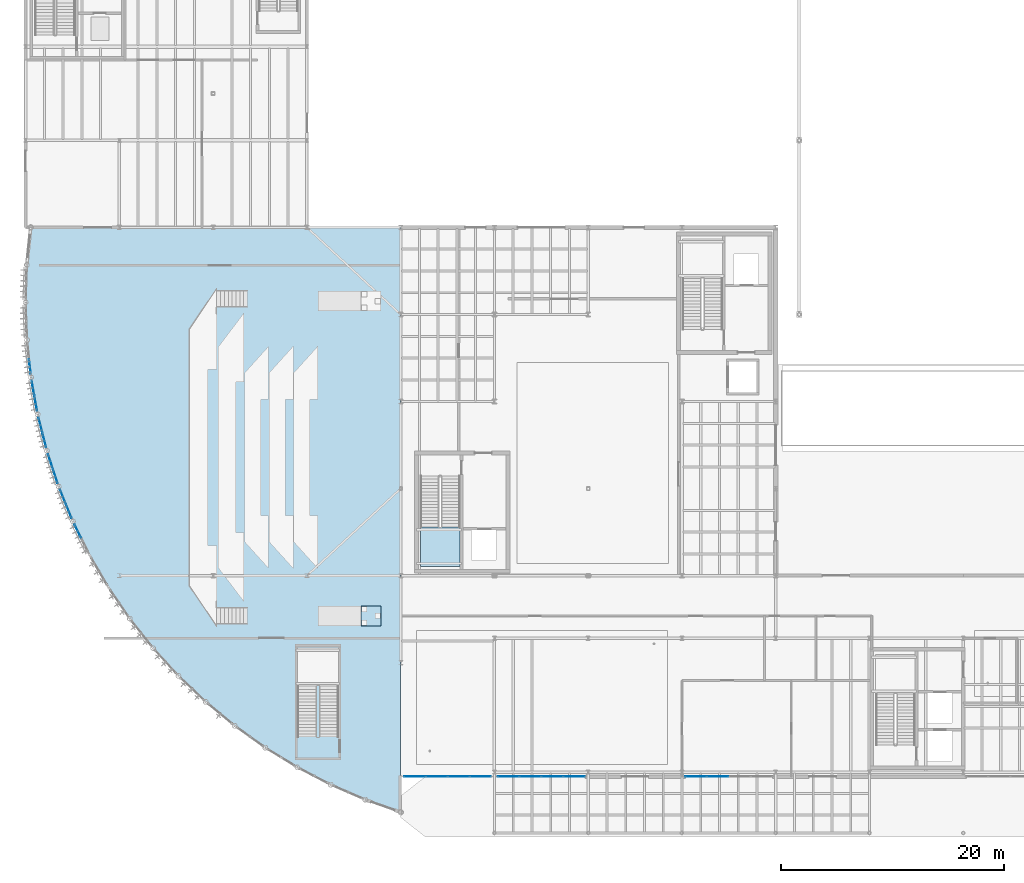
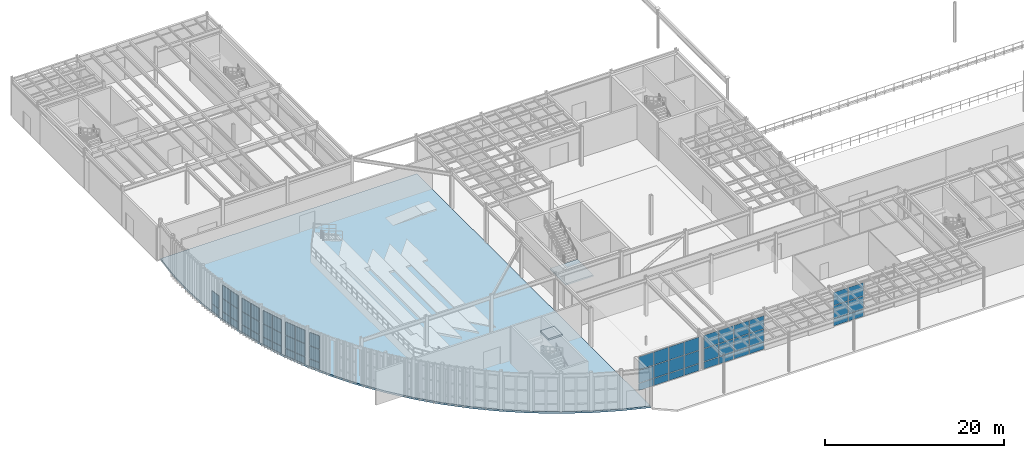
# One storey, part 55 of 87: 59 plates, 3 slabs, 11 elements without a shape of their own.
"""IFC4 building model written with IfcOpenShell, lengths in metres."""

from ifc_helpers import new_model, si_unit, direction, frame, origin, origin_2d, place, context, subcontext, project, spatial, polyline, rectangle, outline, extrude, material, layer, layer_set, type_object, element, aggregate, save


model = new_model("IFC4")

# Units and contexts
model_context = context("Model", 3, precision=1e-05, world=origin(), true_north=direction((0.0, 1.0)))
body_context = subcontext(model_context, "Body", "Model", "MODEL_VIEW")
ifc_project = project(units=[si_unit("LENGTHUNIT", "METRE"), si_unit("AREAUNIT", "SQUARE_METRE"), si_unit("VOLUMEUNIT", "CUBIC_METRE"), si_unit("PLANEANGLEUNIT", "RADIAN"), si_unit("MASSUNIT", "GRAM", prefix="KILO")], contexts=[model_context])

# Site, building, storey
site_placement = place(None, origin())
site = spatial("IfcSite", under=ifc_project, at=site_placement, CompositionType="ELEMENT")
building_placement = place(site_placement, origin())
building = spatial("IfcBuilding", under=site, at=building_placement, Name="Selat Folded Stagehouse", CompositionType="ELEMENT")
storey_placement = place(building_placement, origin())
storey = spatial("IfcBuildingStorey", under=building, at=storey_placement, Name="L00", CompositionType="ELEMENT", Elevation=0.0)

# Curtain wall, plates
ifc_material_1 = material(Name="Aluminium 6063-T6", Category="aluminium")
ifc_layer_1 = layer(ifc_material_1, 0.2099609375)
ifc_layer_set_1 = layer_set([ifc_layer_1], Name="Aluminium 6063-T6")
curtain_wall_type_1 = type_object("IfcCurtainWallType", Name="CW-FYR-SOUTH", PredefinedType="NOTDEFINED", material=ifc_layer_set_1)
curtain_wall_1_placement = place(storey_placement, origin())
curtain_wall_1 = element("IfcCurtainWall", 1, at=curtain_wall_1_placement, inside=storey, type_object=curtain_wall_type_1, Name="L00 curtain wall CW-FYR-L00-00", PredefinedType="NOTDEFINED")
ifc_material_2 = material(Name="Acoustic laminated double glazing", Category="glass")
ifc_layer_2 = layer(ifc_material_2, 0.035888671875)
ifc_layer_set_2 = layer_set([ifc_layer_2], Name="Acoustic laminated double glazing")
plate_type_1 = type_object("IfcPlateType", Name="CWP-GLZ-DGU36", PredefinedType="CURTAIN_PANEL", material=ifc_layer_set_2)
plate_1_placement = place(storey_placement, frame((40.746337890625, 5.39990234375, 0.06494140625), z_axis=(0.0, 0.0, 1.0), x_axis=(-1.0, 0.0, 0.0)))
plate_1 = element("IfcPlate", 2, at=plate_1_placement, type_object=plate_type_1, Name="CW-04 panel 1.1", PredefinedType="CURTAIN_PANEL", context=body_context, shape_type="SweptSolid", body=[
    extrude(rectangle(XDim=1.87744140625, YDim=0.035888671875, at=origin_2d()), origin(), (0.0, 0.0, 1.0), 0.952392578125),
])
plate_2_placement = place(storey_placement, frame((40.746337890625, 5.39990234375, 1.08251953125), z_axis=(0.0, 0.0, 1.0), x_axis=(-1.0, 0.0, 0.0)))
plate_2 = element("IfcPlate", 3, at=plate_2_placement, type_object=plate_type_1, Name="CW-04 panel 1.2", PredefinedType="CURTAIN_PANEL", context=body_context, shape_type="SweptSolid", body=[
    extrude(rectangle(XDim=1.87744140625, YDim=0.035888671875, at=origin_2d()), origin(), (0.0, 0.0, 1.0), 1.735107421875),
])
plate_3_placement = place(storey_placement, frame((40.746337890625, 5.39990234375, 2.882568359375), z_axis=(0.0, 0.0, 1.0), x_axis=(-1.0, 0.0, 0.0)))
plate_3 = element("IfcPlate", 4, at=plate_3_placement, type_object=plate_type_1, Name="CW-04 panel 1.3", PredefinedType="CURTAIN_PANEL", context=body_context, shape_type="SweptSolid", body=[
    extrude(rectangle(XDim=1.87744140625, YDim=0.035888671875, at=origin_2d()), origin(), (0.0, 0.0, 1.0), 1.7724609375),
])
plate_4_placement = place(storey_placement, frame((38.78759765625, 5.39990234375, 0.06494140625), z_axis=(0.0, 0.0, 1.0), x_axis=(-1.0, 0.0, 0.0)))
plate_4 = element("IfcPlate", 5, at=plate_4_placement, type_object=plate_type_1, Name="CW-04 panel 2.1", PredefinedType="CURTAIN_PANEL", context=body_context, shape_type="SweptSolid", body=[
    extrude(rectangle(XDim=1.909912109375, YDim=0.035888671875, at=origin_2d()), origin(), (0.0, 0.0, 1.0), 0.952392578125),
])
plate_5_placement = place(storey_placement, frame((38.78759765625, 5.39990234375, 1.08251953125), z_axis=(0.0, 0.0, 1.0), x_axis=(-1.0, 0.0, 0.0)))
plate_5 = element("IfcPlate", 6, at=plate_5_placement, type_object=plate_type_1, Name="CW-04 panel 2.2", PredefinedType="CURTAIN_PANEL", context=body_context, shape_type="SweptSolid", body=[
    extrude(rectangle(XDim=1.909912109375, YDim=0.035888671875, at=origin_2d()), origin(), (0.0, 0.0, 1.0), 1.735107421875),
])
plate_6_placement = place(storey_placement, frame((38.78759765625, 5.39990234375, 2.882568359375), z_axis=(0.0, 0.0, 1.0), x_axis=(-1.0, 0.0, 0.0)))
plate_6 = element("IfcPlate", 7, at=plate_6_placement, type_object=plate_type_1, Name="CW-04 panel 2.3", PredefinedType="CURTAIN_PANEL", context=body_context, shape_type="SweptSolid", body=[
    extrude(rectangle(XDim=1.909912109375, YDim=0.035888671875, at=origin_2d()), origin(), (0.0, 0.0, 1.0), 1.7724609375),
])
plate_7_placement = place(storey_placement, frame((36.8125, 5.39990234375, 0.06494140625), z_axis=(0.0, 0.0, 1.0), x_axis=(-1.0, 0.0, 0.0)))
plate_7 = element("IfcPlate", 8, at=plate_7_placement, type_object=plate_type_1, Name="CW-04 panel 3.1", PredefinedType="CURTAIN_PANEL", context=body_context, shape_type="SweptSolid", body=[
    extrude(rectangle(XDim=1.909912109375, YDim=0.035888671875, at=origin_2d()), origin(), (0.0, 0.0, 1.0), 0.952392578125),
])
plate_8_placement = place(storey_placement, frame((36.8125, 5.39990234375, 1.08251953125), z_axis=(0.0, 0.0, 1.0), x_axis=(-1.0, 0.0, 0.0)))
plate_8 = element("IfcPlate", 9, at=plate_8_placement, type_object=plate_type_1, Name="CW-04 panel 3.2", PredefinedType="CURTAIN_PANEL", context=body_context, shape_type="SweptSolid", body=[
    extrude(rectangle(XDim=1.909912109375, YDim=0.035888671875, at=origin_2d()), origin(), (0.0, 0.0, 1.0), 1.735107421875),
])
plate_9_placement = place(storey_placement, frame((36.8125, 5.39990234375, 2.882568359375), z_axis=(0.0, 0.0, 1.0), x_axis=(-1.0, 0.0, 0.0)))
plate_9 = element("IfcPlate", 10, at=plate_9_placement, type_object=plate_type_1, Name="CW-04 panel 3.3", PredefinedType="CURTAIN_PANEL", context=body_context, shape_type="SweptSolid", body=[
    extrude(rectangle(XDim=1.909912109375, YDim=0.035888671875, at=origin_2d()), origin(), (0.0, 0.0, 1.0), 1.7724609375),
])
plate_10_placement = place(storey_placement, frame((34.853759765625, 5.39990234375, 0.06494140625), z_axis=(0.0, 0.0, 1.0), x_axis=(-1.0, 0.0, 0.0)))
plate_10 = element("IfcPlate", 11, at=plate_10_placement, type_object=plate_type_1, Name="CW-04 panel 4.1", PredefinedType="CURTAIN_PANEL", context=body_context, shape_type="SweptSolid", body=[
    extrude(rectangle(XDim=1.87744140625, YDim=0.035888671875, at=origin_2d()), origin(), (0.0, 0.0, 1.0), 0.952392578125),
])
plate_11_placement = place(storey_placement, frame((34.853759765625, 5.39990234375, 1.08251953125), z_axis=(0.0, 0.0, 1.0), x_axis=(-1.0, 0.0, 0.0)))
plate_11 = element("IfcPlate", 12, at=plate_11_placement, type_object=plate_type_1, Name="CW-04 panel 4.2", PredefinedType="CURTAIN_PANEL", context=body_context, shape_type="SweptSolid", body=[
    extrude(rectangle(XDim=1.87744140625, YDim=0.035888671875, at=origin_2d()), origin(), (0.0, 0.0, 1.0), 1.735107421875),
])
plate_12_placement = place(storey_placement, frame((34.853759765625, 5.39990234375, 2.882568359375), z_axis=(0.0, 0.0, 1.0), x_axis=(-1.0, 0.0, 0.0)))
plate_12 = element("IfcPlate", 13, at=plate_12_placement, type_object=plate_type_1, Name="CW-04 panel 4.3", PredefinedType="CURTAIN_PANEL", context=body_context, shape_type="SweptSolid", body=[
    extrude(rectangle(XDim=1.87744140625, YDim=0.035888671875, at=origin_2d()), origin(), (0.0, 0.0, 1.0), 1.7724609375),
])
aggregate(curtain_wall_1, [plate_1, plate_2, plate_3, plate_4, plate_5, plate_6, plate_7, plate_8, plate_9, plate_10, plate_11, plate_12])

curtain_wall_2_placement = place(storey_placement, origin())
curtain_wall_2 = element("IfcCurtainWall", 14, at=curtain_wall_2_placement, inside=storey, type_object=curtain_wall_type_1, Name="L00 curtain wall CW-FYR-L00-01", PredefinedType="NOTDEFINED")
plate_13_placement = place(storey_placement, frame((49.146240234375, 5.39990234375, 0.06494140625), z_axis=(0.0, 0.0, 1.0), x_axis=(-1.0, 0.0, 0.0)))
plate_13 = element("IfcPlate", 15, at=plate_13_placement, type_object=plate_type_1, Name="CW-04 panel 1.1", PredefinedType="CURTAIN_PANEL", context=body_context, shape_type="SweptSolid", body=[
    extrude(rectangle(XDim=1.87744140625, YDim=0.035888671875, at=origin_2d()), origin(), (0.0, 0.0, 1.0), 0.952392578125),
])
plate_14_placement = place(storey_placement, frame((49.146240234375, 5.39990234375, 1.08251953125), z_axis=(0.0, 0.0, 1.0), x_axis=(-1.0, 0.0, 0.0)))
plate_14 = element("IfcPlate", 16, at=plate_14_placement, type_object=plate_type_1, Name="CW-04 panel 1.2", PredefinedType="CURTAIN_PANEL", context=body_context, shape_type="SweptSolid", body=[
    extrude(rectangle(XDim=1.87744140625, YDim=0.035888671875, at=origin_2d()), origin(), (0.0, 0.0, 1.0), 1.735107421875),
])
plate_15_placement = place(storey_placement, frame((49.146240234375, 5.39990234375, 2.882568359375), z_axis=(0.0, 0.0, 1.0), x_axis=(-1.0, 0.0, 0.0)))
plate_15 = element("IfcPlate", 17, at=plate_15_placement, type_object=plate_type_1, Name="CW-04 panel 1.3", PredefinedType="CURTAIN_PANEL", context=body_context, shape_type="SweptSolid", body=[
    extrude(rectangle(XDim=1.87744140625, YDim=0.035888671875, at=origin_2d()), origin(), (0.0, 0.0, 1.0), 1.7724609375),
])
plate_16_placement = place(storey_placement, frame((47.1875, 5.39990234375, 0.06494140625), z_axis=(0.0, 0.0, 1.0), x_axis=(-1.0, 0.0, 0.0)))
plate_16 = element("IfcPlate", 18, at=plate_16_placement, type_object=plate_type_1, Name="CW-04 panel 2.1", PredefinedType="CURTAIN_PANEL", context=body_context, shape_type="SweptSolid", body=[
    extrude(rectangle(XDim=1.909912109375, YDim=0.035888671875, at=origin_2d()), origin(), (0.0, 0.0, 1.0), 0.952392578125),
])
plate_17_placement = place(storey_placement, frame((47.1875, 5.39990234375, 1.08251953125), z_axis=(0.0, 0.0, 1.0), x_axis=(-1.0, 0.0, 0.0)))
plate_17 = element("IfcPlate", 19, at=plate_17_placement, type_object=plate_type_1, Name="CW-04 panel 2.2", PredefinedType="CURTAIN_PANEL", context=body_context, shape_type="SweptSolid", body=[
    extrude(rectangle(XDim=1.909912109375, YDim=0.035888671875, at=origin_2d()), origin(), (0.0, 0.0, 1.0), 1.735107421875),
])
plate_18_placement = place(storey_placement, frame((47.1875, 5.39990234375, 2.882568359375), z_axis=(0.0, 0.0, 1.0), x_axis=(-1.0, 0.0, 0.0)))
plate_18 = element("IfcPlate", 20, at=plate_18_placement, type_object=plate_type_1, Name="CW-04 panel 2.3", PredefinedType="CURTAIN_PANEL", context=body_context, shape_type="SweptSolid", body=[
    extrude(rectangle(XDim=1.909912109375, YDim=0.035888671875, at=origin_2d()), origin(), (0.0, 0.0, 1.0), 1.7724609375),
])
plate_19_placement = place(storey_placement, frame((45.21240234375, 5.39990234375, 0.06494140625), z_axis=(0.0, 0.0, 1.0), x_axis=(-1.0, 0.0, 0.0)))
plate_19 = element("IfcPlate", 21, at=plate_19_placement, type_object=plate_type_1, Name="CW-04 panel 3.1", PredefinedType="CURTAIN_PANEL", context=body_context, shape_type="SweptSolid", body=[
    extrude(rectangle(XDim=1.909912109375, YDim=0.035888671875, at=origin_2d()), origin(), (0.0, 0.0, 1.0), 0.952392578125),
])
plate_20_placement = place(storey_placement, frame((45.21240234375, 5.39990234375, 1.08251953125), z_axis=(0.0, 0.0, 1.0), x_axis=(-1.0, 0.0, 0.0)))
plate_20 = element("IfcPlate", 22, at=plate_20_placement, type_object=plate_type_1, Name="CW-04 panel 3.2", PredefinedType="CURTAIN_PANEL", context=body_context, shape_type="SweptSolid", body=[
    extrude(rectangle(XDim=1.909912109375, YDim=0.035888671875, at=origin_2d()), origin(), (0.0, 0.0, 1.0), 1.735107421875),
])
plate_21_placement = place(storey_placement, frame((45.21240234375, 5.39990234375, 2.882568359375), z_axis=(0.0, 0.0, 1.0), x_axis=(-1.0, 0.0, 0.0)))
plate_21 = element("IfcPlate", 23, at=plate_21_placement, type_object=plate_type_1, Name="CW-04 panel 3.3", PredefinedType="CURTAIN_PANEL", context=body_context, shape_type="SweptSolid", body=[
    extrude(rectangle(XDim=1.909912109375, YDim=0.035888671875, at=origin_2d()), origin(), (0.0, 0.0, 1.0), 1.7724609375),
])
plate_22_placement = place(storey_placement, frame((43.253662109375, 5.39990234375, 0.06494140625), z_axis=(0.0, 0.0, 1.0), x_axis=(-1.0, 0.0, 0.0)))
plate_22 = element("IfcPlate", 24, at=plate_22_placement, type_object=plate_type_1, Name="CW-04 panel 4.1", PredefinedType="CURTAIN_PANEL", context=body_context, shape_type="SweptSolid", body=[
    extrude(rectangle(XDim=1.87744140625, YDim=0.035888671875, at=origin_2d()), origin(), (0.0, 0.0, 1.0), 0.952392578125),
])
plate_23_placement = place(storey_placement, frame((43.253662109375, 5.39990234375, 1.08251953125), z_axis=(0.0, 0.0, 1.0), x_axis=(-1.0, 0.0, 0.0)))
plate_23 = element("IfcPlate", 25, at=plate_23_placement, type_object=plate_type_1, Name="CW-04 panel 4.2", PredefinedType="CURTAIN_PANEL", context=body_context, shape_type="SweptSolid", body=[
    extrude(rectangle(XDim=1.87744140625, YDim=0.035888671875, at=origin_2d()), origin(), (0.0, 0.0, 1.0), 1.735107421875),
])
plate_24_placement = place(storey_placement, frame((43.253662109375, 5.39990234375, 2.882568359375), z_axis=(0.0, 0.0, 1.0), x_axis=(-1.0, 0.0, 0.0)))
plate_24 = element("IfcPlate", 26, at=plate_24_placement, type_object=plate_type_1, Name="CW-04 panel 4.3", PredefinedType="CURTAIN_PANEL", context=body_context, shape_type="SweptSolid", body=[
    extrude(rectangle(XDim=1.87744140625, YDim=0.035888671875, at=origin_2d()), origin(), (0.0, 0.0, 1.0), 1.7724609375),
])
aggregate(curtain_wall_2, [plate_13, plate_14, plate_15, plate_16, plate_17, plate_18, plate_19, plate_20, plate_21, plate_22, plate_23, plate_24])

curtain_wall_3_placement = place(storey_placement, origin())
curtain_wall_3 = element("IfcCurtainWall", 27, at=curtain_wall_3_placement, inside=storey, type_object=curtain_wall_type_1, Name="L00 curtain wall CW-FYR-L00-02", PredefinedType="NOTDEFINED")
plate_25_placement = place(storey_placement, frame((62.012451171875, 5.39990234375, 0.06494140625), z_axis=(0.0, 0.0, 1.0), x_axis=(-1.0, 0.0, 0.0)))
plate_25 = element("IfcPlate", 28, at=plate_25_placement, type_object=plate_type_1, Name="CW-04 panel 3.1", PredefinedType="CURTAIN_PANEL", context=body_context, shape_type="SweptSolid", body=[
    extrude(rectangle(XDim=1.909912109375, YDim=0.035888671875, at=origin_2d()), origin(), (0.0, 0.0, 1.0), 0.952392578125),
])
plate_26_placement = place(storey_placement, frame((62.012451171875, 5.39990234375, 1.08251953125), z_axis=(0.0, 0.0, 1.0), x_axis=(-1.0, 0.0, 0.0)))
plate_26 = element("IfcPlate", 29, at=plate_26_placement, type_object=plate_type_1, Name="CW-04 panel 3.2", PredefinedType="CURTAIN_PANEL", context=body_context, shape_type="SweptSolid", body=[
    extrude(rectangle(XDim=1.909912109375, YDim=0.035888671875, at=origin_2d()), origin(), (0.0, 0.0, 1.0), 1.735107421875),
])
plate_27_placement = place(storey_placement, frame((62.012451171875, 5.39990234375, 2.882568359375), z_axis=(0.0, 0.0, 1.0), x_axis=(-1.0, 0.0, 0.0)))
plate_27 = element("IfcPlate", 30, at=plate_27_placement, type_object=plate_type_1, Name="CW-04 panel 3.3", PredefinedType="CURTAIN_PANEL", context=body_context, shape_type="SweptSolid", body=[
    extrude(rectangle(XDim=1.909912109375, YDim=0.035888671875, at=origin_2d()), origin(), (0.0, 0.0, 1.0), 1.7724609375),
])
plate_28_placement = place(storey_placement, frame((60.0537109375, 5.39990234375, 0.06494140625), z_axis=(0.0, 0.0, 1.0), x_axis=(-1.0, 0.0, 0.0)))
plate_28 = element("IfcPlate", 31, at=plate_28_placement, type_object=plate_type_1, Name="CW-04 panel 4.1", PredefinedType="CURTAIN_PANEL", context=body_context, shape_type="SweptSolid", body=[
    extrude(rectangle(XDim=1.87744140625, YDim=0.035888671875, at=origin_2d()), origin(), (0.0, 0.0, 1.0), 0.952392578125),
])
plate_29_placement = place(storey_placement, frame((60.0537109375, 5.39990234375, 1.08251953125), z_axis=(0.0, 0.0, 1.0), x_axis=(-1.0, 0.0, 0.0)))
plate_29 = element("IfcPlate", 32, at=plate_29_placement, type_object=plate_type_1, Name="CW-04 panel 4.2", PredefinedType="CURTAIN_PANEL", context=body_context, shape_type="SweptSolid", body=[
    extrude(rectangle(XDim=1.87744140625, YDim=0.035888671875, at=origin_2d()), origin(), (0.0, 0.0, 1.0), 1.735107421875),
])
plate_30_placement = place(storey_placement, frame((60.0537109375, 5.39990234375, 2.882568359375), z_axis=(0.0, 0.0, 1.0), x_axis=(-1.0, 0.0, 0.0)))
plate_30 = element("IfcPlate", 33, at=plate_30_placement, type_object=plate_type_1, Name="CW-04 panel 4.3", PredefinedType="CURTAIN_PANEL", context=body_context, shape_type="SweptSolid", body=[
    extrude(rectangle(XDim=1.87744140625, YDim=0.035888671875, at=origin_2d()), origin(), (0.0, 0.0, 1.0), 1.7724609375),
])
aggregate(curtain_wall_3, [plate_25, plate_26, plate_27, plate_28, plate_29, plate_30])

ifc_layer_3 = layer(ifc_material_1, 0.219970703125)
ifc_layer_set_3 = layer_set([ifc_layer_3], Name="Aluminium 6063-T6")
curtain_wall_type_2 = type_object("IfcCurtainWallType", Name="CW-DRM-HIGH", PredefinedType="NOTDEFINED", material=ifc_layer_set_3)
curtain_wall_4_placement = place(storey_placement, origin())
curtain_wall_4 = element("IfcCurtainWall", 34, at=curtain_wall_4_placement, inside=storey, type_object=curtain_wall_type_2, Name="L00 curtain wall CW-DRM-L00-03", PredefinedType="NOTDEFINED")
ifc_material_3 = material(Name="Solar-control acoustic triple glazing", Category="glass")
ifc_layer_4 = layer(ifc_material_3, 0.0400390625)
ifc_layer_set_4 = layer_set([ifc_layer_4], Name="Solar-control acoustic triple glazing")
plate_type_2 = type_object("IfcPlateType", Name="CWP-GLZ-DGU40", PredefinedType="CURTAIN_PANEL", material=ifc_layer_set_4)
plate_31_placement = place(storey_placement, frame((0.383056640625, 42.14453125, 0.06982421875), z_axis=(0.0, 0.0, 1.0), x_axis=(-0.107558193428, 0.994198790497, 0.0)))
plate_31 = element("IfcPlate", 35, at=plate_31_placement, type_object=plate_type_2, Name="CW-01 panel 1.1", PredefinedType="CURTAIN_PANEL", context=body_context, shape_type="SweptSolid", body=[
    extrude(rectangle(XDim=1.32958984375, YDim=0.0400390625, at=origin_2d()), origin(), (0.0, 0.0, 1.0), 0.945068359375),
])
plate_32_placement = place(storey_placement, frame((0.383056640625, 42.14453125, 1.0849609375), z_axis=(0.0, 0.0, 1.0), x_axis=(-0.107558193428, 0.994198790497, 0.0)))
plate_32 = element("IfcPlate", 36, at=plate_32_placement, type_object=plate_type_2, Name="CW-01 panel 1.2", PredefinedType="CURTAIN_PANEL", context=body_context, shape_type="SweptSolid", body=[
    extrude(rectangle(XDim=1.32958984375, YDim=0.0400390625, at=origin_2d()), origin(), (0.0, 0.0, 1.0), 1.72998046875),
])
aggregate(curtain_wall_4, [plate_31, plate_32])

curtain_wall_5_placement = place(storey_placement, origin())
curtain_wall_5 = element("IfcCurtainWall", 37, at=curtain_wall_5_placement, inside=storey, type_object=curtain_wall_type_2, Name="L00 curtain wall CW-DRM-L00-04", PredefinedType="NOTDEFINED")
plate_33_placement = place(storey_placement, frame((0.9111328125, 38.81884765625, 0.06982421875), z_axis=(0.0, 0.0, 1.0), x_axis=(-0.177001739435, 0.984210538572, 0.0)))
plate_33 = element("IfcPlate", 38, at=plate_33_placement, type_object=plate_type_2, Name="CW-01 panel 1.1", PredefinedType="CURTAIN_PANEL", context=body_context, shape_type="SweptSolid", body=[
    extrude(rectangle(XDim=1.329345703125, YDim=0.0400390625, at=origin_2d()), origin(), (0.0, 0.0, 1.0), 0.945068359375),
])
plate_34_placement = place(storey_placement, frame((0.9111328125, 38.81884765625, 1.0849609375), z_axis=(0.0, 0.0, 1.0), x_axis=(-0.177001739435, 0.984210538572, 0.0)))
plate_34 = element("IfcPlate", 39, at=plate_34_placement, type_object=plate_type_2, Name="CW-01 panel 1.2", PredefinedType="CURTAIN_PANEL", context=body_context, shape_type="SweptSolid", body=[
    extrude(rectangle(XDim=1.329345703125, YDim=0.0400390625, at=origin_2d()), origin(), (0.0, 0.0, 1.0), 1.72998046875),
])
plate_35_placement = place(storey_placement, frame((0.9111328125, 38.81884765625, 2.88525390625), z_axis=(0.0, 0.0, 1.0), x_axis=(-0.177001739435, 0.984210538572, 0.0)))
plate_35 = element("IfcPlate", 40, at=plate_35_placement, type_object=plate_type_2, Name="CW-01 panel 1.3", PredefinedType="CURTAIN_PANEL", context=body_context, shape_type="SweptSolid", body=[
    extrude(rectangle(XDim=1.329345703125, YDim=0.0400390625, at=origin_2d()), origin(), (0.0, 0.0, 1.0), 1.784912109375),
])
plate_36_placement = place(storey_placement, frame((0.663330078125, 40.1962890625, 0.06982421875), z_axis=(0.0, 0.0, 1.0), x_axis=(-0.177001739435, 0.984210538572, 0.0)))
plate_36 = element("IfcPlate", 41, at=plate_36_placement, type_object=plate_type_2, Name="CW-01 panel 2.1", PredefinedType="CURTAIN_PANEL", context=body_context, shape_type="SweptSolid", body=[
    extrude(rectangle(XDim=1.329345703125, YDim=0.0400390625, at=origin_2d()), origin(), (0.0, 0.0, 1.0), 0.945068359375),
])
plate_37_placement = place(storey_placement, frame((0.663330078125, 40.1962890625, 1.0849609375), z_axis=(0.0, 0.0, 1.0), x_axis=(-0.177001739435, 0.984210538572, 0.0)))
plate_37 = element("IfcPlate", 42, at=plate_37_placement, type_object=plate_type_2, Name="CW-01 panel 2.2", PredefinedType="CURTAIN_PANEL", context=body_context, shape_type="SweptSolid", body=[
    extrude(rectangle(XDim=1.329345703125, YDim=0.0400390625, at=origin_2d()), origin(), (0.0, 0.0, 1.0), 1.72998046875),
])
plate_38_placement = place(storey_placement, frame((0.663330078125, 40.1962890625, 2.88525390625), z_axis=(0.0, 0.0, 1.0), x_axis=(-0.177001739435, 0.984210538572, 0.0)))
plate_38 = element("IfcPlate", 43, at=plate_38_placement, type_object=plate_type_2, Name="CW-01 panel 2.3", PredefinedType="CURTAIN_PANEL", context=body_context, shape_type="SweptSolid", body=[
    extrude(rectangle(XDim=1.329345703125, YDim=0.0400390625, at=origin_2d()), origin(), (0.0, 0.0, 1.0), 1.784912109375),
])
aggregate(curtain_wall_5, [plate_33, plate_34, plate_35, plate_36, plate_37, plate_38])

curtain_wall_6_placement = place(storey_placement, origin())
curtain_wall_6 = element("IfcCurtainWall", 44, at=curtain_wall_6_placement, inside=storey, type_object=curtain_wall_type_2, Name="L00 curtain wall CW-DRM-L00-05", PredefinedType="NOTDEFINED")
plate_39_placement = place(storey_placement, frame((1.671142578125, 35.53857421875, 0.06982421875), z_axis=(0.0, 0.0, 1.0), x_axis=(-0.24561797686, 0.969366705351, 0.0)))
plate_39 = element("IfcPlate", 45, at=plate_39_placement, type_object=plate_type_2, Name="CW-01 panel 1.1", PredefinedType="CURTAIN_PANEL", context=body_context, shape_type="SweptSolid", body=[
    extrude(rectangle(XDim=1.32958984375, YDim=0.0400390625, at=origin_2d()), origin(), (0.0, 0.0, 1.0), 0.945068359375),
])
plate_40_placement = place(storey_placement, frame((1.671142578125, 35.53857421875, 1.0849609375), z_axis=(0.0, 0.0, 1.0), x_axis=(-0.24561797686, 0.969366705351, 0.0)))
plate_40 = element("IfcPlate", 46, at=plate_40_placement, type_object=plate_type_2, Name="CW-01 panel 1.2", PredefinedType="CURTAIN_PANEL", context=body_context, shape_type="SweptSolid", body=[
    extrude(rectangle(XDim=1.32958984375, YDim=0.0400390625, at=origin_2d()), origin(), (0.0, 0.0, 1.0), 1.72998046875),
])
plate_41_placement = place(storey_placement, frame((1.671142578125, 35.53857421875, 2.88525390625), z_axis=(0.0, 0.0, 1.0), x_axis=(-0.24561797686, 0.969366705351, 0.0)))
plate_41 = element("IfcPlate", 47, at=plate_41_placement, type_object=plate_type_2, Name="CW-01 panel 1.3", PredefinedType="CURTAIN_PANEL", context=body_context, shape_type="SweptSolid", body=[
    extrude(rectangle(XDim=1.32958984375, YDim=0.0400390625, at=origin_2d()), origin(), (0.0, 0.0, 1.0), 1.784912109375),
])
plate_42_placement = place(storey_placement, frame((1.327392578125, 36.89501953125, 0.06982421875), z_axis=(0.0, 0.0, 1.0), x_axis=(-0.24561797686, 0.969366705351, 0.0)))
plate_42 = element("IfcPlate", 48, at=plate_42_placement, type_object=plate_type_2, Name="CW-01 panel 2.1", PredefinedType="CURTAIN_PANEL", context=body_context, shape_type="SweptSolid", body=[
    extrude(rectangle(XDim=1.32958984375, YDim=0.0400390625, at=origin_2d()), origin(), (0.0, 0.0, 1.0), 0.945068359375),
])
plate_43_placement = place(storey_placement, frame((1.327392578125, 36.89501953125, 1.0849609375), z_axis=(0.0, 0.0, 1.0), x_axis=(-0.24561797686, 0.969366705351, 0.0)))
plate_43 = element("IfcPlate", 49, at=plate_43_placement, type_object=plate_type_2, Name="CW-01 panel 2.2", PredefinedType="CURTAIN_PANEL", context=body_context, shape_type="SweptSolid", body=[
    extrude(rectangle(XDim=1.32958984375, YDim=0.0400390625, at=origin_2d()), origin(), (0.0, 0.0, 1.0), 1.72998046875),
])
plate_44_placement = place(storey_placement, frame((1.327392578125, 36.89501953125, 2.88525390625), z_axis=(0.0, 0.0, 1.0), x_axis=(-0.24561797686, 0.969366705351, 0.0)))
plate_44 = element("IfcPlate", 50, at=plate_44_placement, type_object=plate_type_2, Name="CW-01 panel 2.3", PredefinedType="CURTAIN_PANEL", context=body_context, shape_type="SweptSolid", body=[
    extrude(rectangle(XDim=1.32958984375, YDim=0.0400390625, at=origin_2d()), origin(), (0.0, 0.0, 1.0), 1.784912109375),
])
aggregate(curtain_wall_6, [plate_39, plate_40, plate_41, plate_42, plate_43, plate_44])

curtain_wall_7_placement = place(storey_placement, origin())
curtain_wall_7 = element("IfcCurtainWall", 51, at=curtain_wall_7_placement, inside=storey, type_object=curtain_wall_type_2, Name="L00 curtain wall CW-DRM-L00-06", PredefinedType="NOTDEFINED")
plate_45_placement = place(storey_placement, frame((2.659423828125, 32.3193359375, 0.06982421875), z_axis=(0.0, 0.0, 1.0), x_axis=(-0.312994904395, 0.949754805107, 0.0)))
plate_45 = element("IfcPlate", 52, at=plate_45_placement, type_object=plate_type_2, Name="CW-01 panel 1.1", PredefinedType="CURTAIN_PANEL", context=body_context, shape_type="SweptSolid", body=[
    extrude(rectangle(XDim=1.32958984375, YDim=0.0400390625, at=origin_2d()), origin(), (0.0, 0.0, 1.0), 0.945068359375),
])
plate_46_placement = place(storey_placement, frame((2.659423828125, 32.3193359375, 1.0849609375), z_axis=(0.0, 0.0, 1.0), x_axis=(-0.312994904395, 0.949754805107, 0.0)))
plate_46 = element("IfcPlate", 53, at=plate_46_placement, type_object=plate_type_2, Name="CW-01 panel 1.2", PredefinedType="CURTAIN_PANEL", context=body_context, shape_type="SweptSolid", body=[
    extrude(rectangle(XDim=1.32958984375, YDim=0.0400390625, at=origin_2d()), origin(), (0.0, 0.0, 1.0), 1.72998046875),
])
plate_47_placement = place(storey_placement, frame((2.659423828125, 32.3193359375, 2.88525390625), z_axis=(0.0, 0.0, 1.0), x_axis=(-0.312994904395, 0.949754805107, 0.0)))
plate_47 = element("IfcPlate", 54, at=plate_47_placement, type_object=plate_type_2, Name="CW-01 panel 1.3", PredefinedType="CURTAIN_PANEL", context=body_context, shape_type="SweptSolid", body=[
    extrude(rectangle(XDim=1.32958984375, YDim=0.0400390625, at=origin_2d()), origin(), (0.0, 0.0, 1.0), 1.784912109375),
])
plate_48_placement = place(storey_placement, frame((2.22119140625, 33.648681640625, 0.06982421875), z_axis=(0.0, 0.0, 1.0), x_axis=(-0.312994904395, 0.949754805107, 0.0)))
plate_48 = element("IfcPlate", 55, at=plate_48_placement, type_object=plate_type_2, Name="CW-01 panel 2.1", PredefinedType="CURTAIN_PANEL", context=body_context, shape_type="SweptSolid", body=[
    extrude(rectangle(XDim=1.32958984375, YDim=0.0400390625, at=origin_2d()), origin(), (0.0, 0.0, 1.0), 0.945068359375),
])
plate_49_placement = place(storey_placement, frame((2.22119140625, 33.648681640625, 1.0849609375), z_axis=(0.0, 0.0, 1.0), x_axis=(-0.312994904395, 0.949754805107, 0.0)))
plate_49 = element("IfcPlate", 56, at=plate_49_placement, type_object=plate_type_2, Name="CW-01 panel 2.2", PredefinedType="CURTAIN_PANEL", context=body_context, shape_type="SweptSolid", body=[
    extrude(rectangle(XDim=1.32958984375, YDim=0.0400390625, at=origin_2d()), origin(), (0.0, 0.0, 1.0), 1.72998046875),
])
plate_50_placement = place(storey_placement, frame((2.22119140625, 33.648681640625, 2.88525390625), z_axis=(0.0, 0.0, 1.0), x_axis=(-0.312994904395, 0.949754805107, 0.0)))
plate_50 = element("IfcPlate", 57, at=plate_50_placement, type_object=plate_type_2, Name="CW-01 panel 2.3", PredefinedType="CURTAIN_PANEL", context=body_context, shape_type="SweptSolid", body=[
    extrude(rectangle(XDim=1.32958984375, YDim=0.0400390625, at=origin_2d()), origin(), (0.0, 0.0, 1.0), 1.784912109375),
])
aggregate(curtain_wall_7, [plate_45, plate_46, plate_47, plate_48, plate_49, plate_50])

curtain_wall_8_placement = place(storey_placement, origin())
curtain_wall_8 = element("IfcCurtainWall", 58, at=curtain_wall_8_placement, inside=storey, type_object=curtain_wall_type_2, Name="L00 curtain wall CW-DRM-L00-07", PredefinedType="NOTDEFINED")
plate_51_placement = place(storey_placement, frame((3.870849609375, 29.177734375, 0.06982421875), z_axis=(0.0, 0.0, 1.0), x_axis=(-0.378890707813, 0.925441425231, 0.0)))
plate_51 = element("IfcPlate", 59, at=plate_51_placement, type_object=plate_type_2, Name="CW-01 panel 1.1", PredefinedType="CURTAIN_PANEL", context=body_context, shape_type="SweptSolid", body=[
    extrude(rectangle(XDim=1.329345703125, YDim=0.0400390625, at=origin_2d()), origin(), (0.0, 0.0, 1.0), 0.945068359375),
])
plate_52_placement = place(storey_placement, frame((3.870849609375, 29.177734375, 1.0849609375), z_axis=(0.0, 0.0, 1.0), x_axis=(-0.378890707813, 0.925441425231, 0.0)))
plate_52 = element("IfcPlate", 60, at=plate_52_placement, type_object=plate_type_2, Name="CW-01 panel 1.2", PredefinedType="CURTAIN_PANEL", context=body_context, shape_type="SweptSolid", body=[
    extrude(rectangle(XDim=1.329345703125, YDim=0.0400390625, at=origin_2d()), origin(), (0.0, 0.0, 1.0), 1.72998046875),
])
plate_53_placement = place(storey_placement, frame((3.870849609375, 29.177734375, 2.88525390625), z_axis=(0.0, 0.0, 1.0), x_axis=(-0.378890707813, 0.925441425231, 0.0)))
plate_53 = element("IfcPlate", 61, at=plate_53_placement, type_object=plate_type_2, Name="CW-01 panel 1.3", PredefinedType="CURTAIN_PANEL", context=body_context, shape_type="SweptSolid", body=[
    extrude(rectangle(XDim=1.329345703125, YDim=0.0400390625, at=origin_2d()), origin(), (0.0, 0.0, 1.0), 1.784912109375),
])
plate_54_placement = place(storey_placement, frame((3.340576171875, 30.472900390625, 0.06982421875), z_axis=(0.0, 0.0, 1.0), x_axis=(-0.378890707813, 0.925441425231, 0.0)))
plate_54 = element("IfcPlate", 62, at=plate_54_placement, type_object=plate_type_2, Name="CW-01 panel 2.1", PredefinedType="CURTAIN_PANEL", context=body_context, shape_type="SweptSolid", body=[
    extrude(rectangle(XDim=1.329345703125, YDim=0.0400390625, at=origin_2d()), origin(), (0.0, 0.0, 1.0), 0.945068359375),
])
plate_55_placement = place(storey_placement, frame((3.340576171875, 30.472900390625, 1.0849609375), z_axis=(0.0, 0.0, 1.0), x_axis=(-0.378890707813, 0.925441425231, 0.0)))
plate_55 = element("IfcPlate", 63, at=plate_55_placement, type_object=plate_type_2, Name="CW-01 panel 2.2", PredefinedType="CURTAIN_PANEL", context=body_context, shape_type="SweptSolid", body=[
    extrude(rectangle(XDim=1.329345703125, YDim=0.0400390625, at=origin_2d()), origin(), (0.0, 0.0, 1.0), 1.72998046875),
])
plate_56_placement = place(storey_placement, frame((3.340576171875, 30.472900390625, 2.88525390625), z_axis=(0.0, 0.0, 1.0), x_axis=(-0.378890707813, 0.925441425231, 0.0)))
plate_56 = element("IfcPlate", 64, at=plate_56_placement, type_object=plate_type_2, Name="CW-01 panel 2.3", PredefinedType="CURTAIN_PANEL", context=body_context, shape_type="SweptSolid", body=[
    extrude(rectangle(XDim=1.329345703125, YDim=0.0400390625, at=origin_2d()), origin(), (0.0, 0.0, 1.0), 1.784912109375),
])
aggregate(curtain_wall_8, [plate_51, plate_52, plate_53, plate_54, plate_55, plate_56])

curtain_wall_9_placement = place(storey_placement, origin())
curtain_wall_9 = element("IfcCurtainWall", 65, at=curtain_wall_9_placement, inside=storey, type_object=curtain_wall_type_2, Name="L00 curtain wall CW-DRM-L00-08", PredefinedType="NOTDEFINED")
plate_57_placement = place(storey_placement, frame((4.68017578125, 27.383544921875, 0.06982421875), z_axis=(0.0, 0.0, 1.0), x_axis=(-0.442844653705, 0.896598356392, 0.0)))
plate_57 = element("IfcPlate", 66, at=plate_57_placement, type_object=plate_type_2, Name="CW-01 panel 2.1", PredefinedType="CURTAIN_PANEL", context=body_context, shape_type="SweptSolid", body=[
    extrude(rectangle(XDim=1.32958984375, YDim=0.0400390625, at=origin_2d()), origin(), (0.0, 0.0, 1.0), 0.945068359375),
])
plate_58_placement = place(storey_placement, frame((4.68017578125, 27.383544921875, 1.0849609375), z_axis=(0.0, 0.0, 1.0), x_axis=(-0.442844653705, 0.896598356392, 0.0)))
plate_58 = element("IfcPlate", 67, at=plate_58_placement, type_object=plate_type_2, Name="CW-01 panel 2.2", PredefinedType="CURTAIN_PANEL", context=body_context, shape_type="SweptSolid", body=[
    extrude(rectangle(XDim=1.32958984375, YDim=0.0400390625, at=origin_2d()), origin(), (0.0, 0.0, 1.0), 1.72998046875),
])
plate_59_placement = place(storey_placement, frame((4.68017578125, 27.383544921875, 2.88525390625), z_axis=(0.0, 0.0, 1.0), x_axis=(-0.442844653705, 0.896598356392, 0.0)))
plate_59 = element("IfcPlate", 68, at=plate_59_placement, type_object=plate_type_2, Name="CW-01 panel 2.3", PredefinedType="CURTAIN_PANEL", context=body_context, shape_type="SweptSolid", body=[
    extrude(rectangle(XDim=1.32958984375, YDim=0.0400390625, at=origin_2d()), origin(), (0.0, 0.0, 1.0), 1.784912109375),
])
aggregate(curtain_wall_9, [plate_57, plate_58, plate_59])

# Slab
ifc_material_4 = material(Name="Concrete C40/50", Category="concrete")
ifc_layer_5 = layer(ifc_material_4, 0.25)
ifc_layer_set_5 = layer_set([ifc_layer_5], Name="Concrete C40/50")
slab_type_1 = type_object("IfcSlabType", Name="SLAB-FLR-250", PredefinedType="FLOOR", material=ifc_layer_set_5)
slab_1_placement = place(storey_placement, frame((0.0, 0.0, -0.25)))
element("IfcSlab", 69, at=slab_1_placement, inside=storey, type_object=slab_type_1, Name="L00 V1 floor slab SL-L00-V1", PredefinedType="FLOOR", context=body_context, shape_type="SweptSolid", body=[
    extrude(outline(polyline([(0.455810546875, 54.60009765625), (0.110107421875, 51.248779296875), (0.0, 47.881591796875), (0.126708984375, 44.514892578125), (0.489013671875, 41.16552734375), (1.08544921875, 37.849609375), (1.9130859375, 34.583984375), (2.967529296875, 31.38427734375), (4.243896484375, 28.266357421875), (5.736083984375, 25.24560546875), (7.436279296875, 22.337158203125), (9.336181640625, 19.55517578125), (11.4267578125, 16.9130859375), (13.697509765625, 14.42431640625), (16.136962890625, 12.100830078125), (18.733642578125, 9.954345703125), (21.474365234375, 7.9951171875), (24.345703125, 6.23291015625), (27.333740234375, 4.6767578125), (30.423583984375, 3.333740234375), (33.60009765625, 2.2109375), (33.60009765625, 54.60009765625), (0.455810546875, 54.60009765625)])), origin(), (0.0, 0.0, 1.0), 0.25),
])

# Ramp, slab
ramp_type = type_object("IfcRampType", Name="RMP-ACC-1800", PredefinedType="STRAIGHT_RUN_RAMP", material=ifc_material_4)
ramp_placement = place(storey_placement, origin())
ramp = element("IfcRamp", 70, at=ramp_placement, inside=storey, type_object=ramp_type, Name="Main Theatre South Stalls Accessible Ramp", PredefinedType="STRAIGHT_RUN_RAMP")
ifc_layer_6 = layer(ifc_material_4, 0.215087890625)
ifc_layer_set_6 = layer_set([ifc_layer_6], Name="Concrete C40/50")
slab_type_2 = type_object("IfcSlabType", Name="SLAB-RMP-LDG-215", PredefinedType="LANDING", material=ifc_layer_set_6)
slab_2_placement = place(storey_placement, frame((0.0, 0.0, 0.10498046875)))
slab_2 = element("IfcSlab", 71, at=slab_2_placement, type_object=slab_type_2, Name="Main Theatre South Stalls Accessible Ramp landing 1", PredefinedType="LANDING", context=body_context, shape_type="SweptSolid", body=[
    extrude(outline(polyline([(30.0400390625, 18.89990234375), (31.840087890625, 18.89990234375), (31.840087890625, 20.699951171875), (30.0400390625, 20.699951171875), (30.0400390625, 18.89990234375)])), origin(), (0.0, 0.0, 1.0), 0.215087890625),
])
aggregate(ramp, [slab_2])

# Stair, slab
stair_type = type_object("IfcStairType", Name="STR-DOG-1700-34R", PredefinedType="HALF_TURN_STAIR", material=ifc_material_4)
stair_placement = place(storey_placement, origin())
stair = element("IfcStair", 72, at=stair_placement, inside=storey, type_object=stair_type, Name="L00 Core 1 South-West Fire Core", PredefinedType="HALF_TURN_STAIR")
ifc_layer_7 = layer(ifc_material_4, 0.199951171875)
ifc_layer_set_7 = layer_set([ifc_layer_7], Name="Concrete C40/50")
slab_type_3 = type_object("IfcSlabType", Name="SLAB-STR-LDG-200", PredefinedType="LANDING", material=ifc_layer_set_7)
slab_3_placement = place(storey_placement, frame((0.0, 0.0, 2.5)))
slab_3 = element("IfcSlab", 73, at=slab_3_placement, type_object=slab_type_3, Name="ST-1700-34R landing 1", PredefinedType="LANDING", context=body_context, shape_type="SweptSolid", body=[
    extrude(outline(polyline([(35.360107421875, 27.780029296875), (35.360107421875, 24.239990234375), (38.919921875, 24.239990234375), (38.919921875, 27.780029296875), (35.360107421875, 27.780029296875)])), origin(), (0.0, 0.0, 1.0), 0.199951171875),
])
aggregate(stair, [slab_3])

save(model, "model.ifc")
